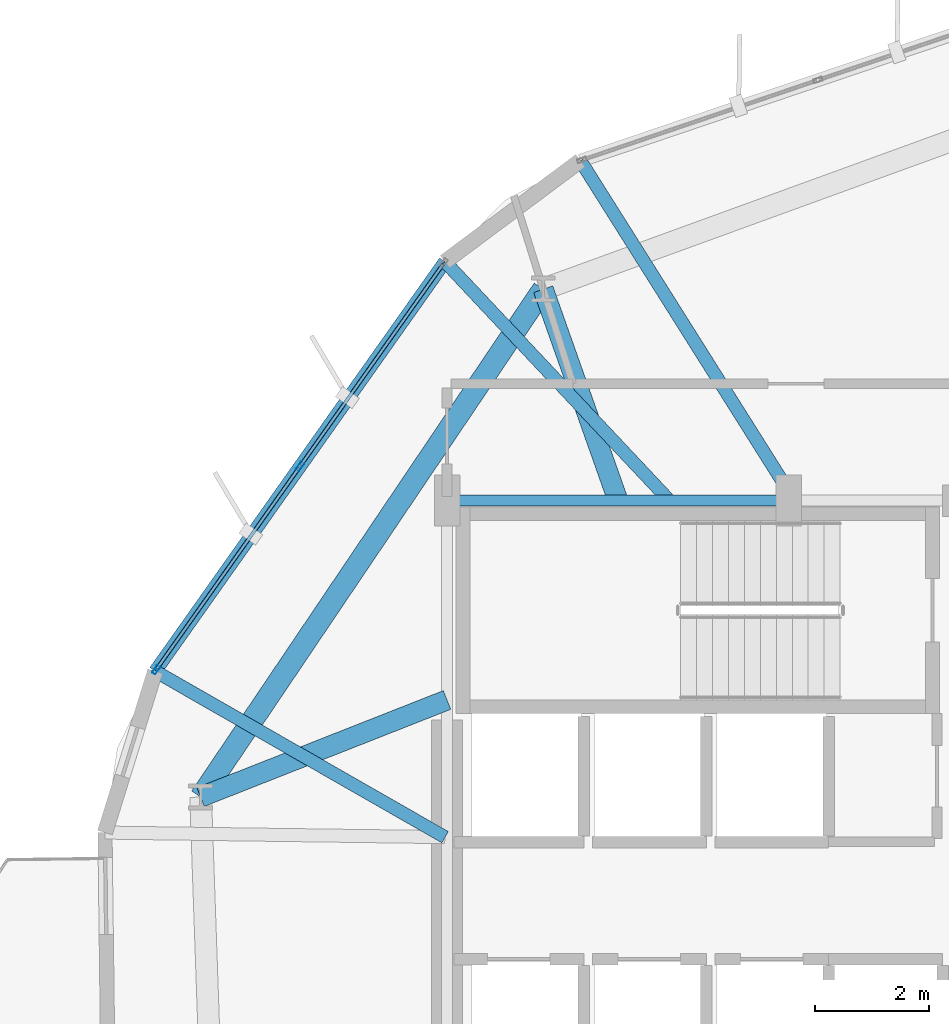
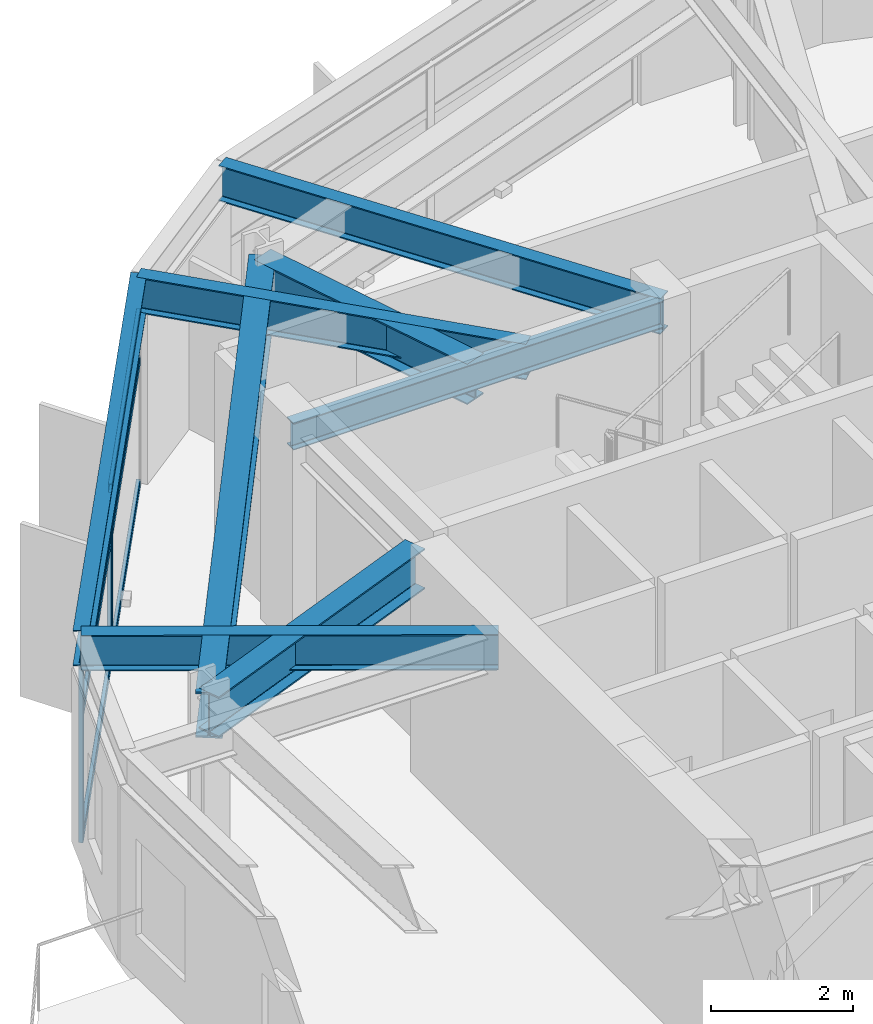
# One storey, part 9 of 25: 8 beams, 8 members, 1 element without a shape of its own.
"""IFC4 building model written with IfcOpenShell, lengths in metres."""

from ifc_helpers import new_model, si_unit, direction, frame, origin, origin_2d, place, context, subcontext, project, spatial, hollow_rectangle, i_section, extrude, material, layer, layer_set, material_profile, profile_set, type_object, element, aggregate, save


model = new_model("IFC4")

# Units and contexts
model_context = context("Model", 3, precision=1e-05, world=origin(), true_north=direction((0.0, 1.0)))
body_context = subcontext(model_context, "Body", "Model", "MODEL_VIEW")
ifc_project = project(units=[si_unit("LENGTHUNIT", "METRE"), si_unit("AREAUNIT", "SQUARE_METRE"), si_unit("VOLUMEUNIT", "CUBIC_METRE"), si_unit("PLANEANGLEUNIT", "RADIAN"), si_unit("MASSUNIT", "GRAM", prefix="KILO")], contexts=[model_context])

# Site, building, storey
site_placement = place(None, origin())
site = spatial("IfcSite", under=ifc_project, at=site_placement, CompositionType="ELEMENT")
building_placement = place(site_placement, origin())
building = spatial("IfcBuilding", under=site, at=building_placement, Name="Soratama Intermodal Tower", CompositionType="ELEMENT")
storey_placement = place(building_placement, frame((0.0, 0.0, 106.89990234375)))
storey = spatial("IfcBuildingStorey", under=building, at=storey_placement, Name="L25", CompositionType="ELEMENT", Elevation=106.89990234375)

# Beams
ifc_material_1 = material(Name="Structural steel ASTM A992 Grade 50", Category="steel")
ifc_material_profile_1 = material_profile(ifc_material_1, i_section(OverallWidth=0.19091796875, OverallDepth=0.4599609375, WebThickness=0.010009765625, FlangeThickness=0.01611328125, FilletRadius=0.010986328125, at=origin_2d()), Name="W18X55")
ifc_profile_set_1 = profile_set([ifc_material_profile_1], Name="Structural steel ASTM A992 Grade 50")
beam_type_1 = type_object("IfcBeamType", Name="BM-FLR-W18X55", PredefinedType="BEAM", material=ifc_profile_set_1)
beam_1_placement = place(storey_placement, frame((38.60009765625, 35.0, 3.3701171875), z_axis=(-1.0, 0.0, 0.0), x_axis=(0.0, -1.0, 0.0)))
element("IfcBeam", 1, at=beam_1_placement, inside=storey, type_object=beam_type_1, Name="BM-L25-CRING-07", PredefinedType="BEAM", context=body_context, shape_type="SweptSolid", body=[
    extrude(i_section(OverallWidth=0.19091796875, OverallDepth=0.4599609375, WebThickness=0.010009765625, FlangeThickness=0.01611328125, FilletRadius=0.010986328125, at=origin_2d()), origin(), (0.0, 0.0, 1.0), 6.0),
])
ifc_material_2 = material(Name="Structural steel ASTM A992 Grade 50", Category="steel")
ifc_material_profile_2 = material_profile(ifc_material_2, i_section(OverallWidth=0.35498046875, OverallDepth=0.695068359375, WebThickness=0.015380859375, FlangeThickness=0.02490234375, FilletRadius=0.01611328125, at=origin_2d()), Name="W27X146")
ifc_profile_set_2 = profile_set([ifc_material_profile_2], Name="Structural steel ASTM A992 Grade 50")
beam_type_2 = type_object("IfcBeamType", Name="BM-RING-W27X146", PredefinedType="BEAM", material=ifc_profile_set_2)
beam_2_placement = place(storey_placement, frame((35.60009765625, 35.0, 3.252685546875), z_axis=(-0.333332697239, 0.942809266475, 0.0), x_axis=(-0.942809266475, -0.333332697239, 0.0)))
element("IfcBeam", 2, at=beam_2_placement, inside=storey, type_object=beam_type_2, Name="BM-L25-RAD-04", PredefinedType="BEAM", context=body_context, shape_type="SweptSolid", body=[
    extrude(i_section(OverallWidth=0.35498046875, OverallDepth=0.695068359375, WebThickness=0.015380859375, FlangeThickness=0.02490234375, FilletRadius=0.01611328125, at=origin_2d()), origin(), (0.0, 0.0, 1.0), 3.93603515625),
])
beam_3_placement = place(storey_placement, frame((32.60009765625, 31.5, 3.252685546875), z_axis=(-0.930419244357, -0.366496970971, 0.0), x_axis=(0.366496970971, -0.930419244357, 0.0)))
element("IfcBeam", 3, at=beam_3_placement, inside=storey, type_object=beam_type_2, Name="BM-L25-RAD-05", PredefinedType="BEAM", context=body_context, shape_type="SweptSolid", body=[
    extrude(i_section(OverallWidth=0.35498046875, OverallDepth=0.695068359375, WebThickness=0.015380859375, FlangeThickness=0.02490234375, FilletRadius=0.01611328125, at=origin_2d()), origin(), (0.0, 0.0, 1.0), 4.649658203125),
])
ifc_material_3 = material(Name="Structural steel ASTM A992 Grade 50", Category="steel")
ifc_material_profile_3 = material_profile(ifc_material_3, i_section(OverallWidth=0.382080078125, OverallDepth=0.779052734375, WebThickness=0.01806640625, FlangeThickness=0.030029296875, FilletRadius=0.01806640625, at=origin_2d()), Name="W30X191")
ifc_profile_set_3 = profile_set([ifc_material_profile_3], Name="Structural steel ASTM A992 Grade 50")
beam_type_3 = type_object("IfcBeamType", Name="BM-RING-W30X191", PredefinedType="BEAM", material=ifc_profile_set_3)
beam_4_placement = place(storey_placement, frame((34.2880859375, 38.7109375, 3.210693359375), z_axis=(-0.559249807749, -0.828999187293, 0.0), x_axis=(0.828999187293, -0.559249807749, 0.0)))
element("IfcBeam", 4, at=beam_4_placement, inside=storey, type_object=beam_type_3, Name="BM-L25-RING-04", PredefinedType="BEAM", context=body_context, shape_type="SweptSolid", body=[
    extrude(i_section(OverallWidth=0.382080078125, OverallDepth=0.779052734375, WebThickness=0.01806640625, FlangeThickness=0.030029296875, FilletRadius=0.01806640625, at=origin_2d()), origin(), (0.0, 0.0, 1.0), 10.75390625),
])
ifc_material_4 = material(Name="Structural steel ASTM A992 Grade 50", Category="steel")
ifc_material_profile_4 = material_profile(ifc_material_4, i_section(OverallWidth=0.22900390625, OverallDepth=0.612060546875, WebThickness=0.011962890625, FlangeThickness=0.01953125, FilletRadius=0.012939453125, at=origin_2d()), Name="W24X84")
ifc_profile_set_4 = profile_set([ifc_material_profile_4], Name="Structural steel ASTM A992 Grade 50")
beam_type_4 = type_object("IfcBeamType", Name="BM-SPN-W24X84", PredefinedType="SPANDREL", material=ifc_profile_set_4)
beam_5_placement = place(storey_placement, frame((32.56201171875, 39.194091796875, 3.294189453125), z_axis=(-0.577605770841, -0.816315854, 0.0), x_axis=(0.816315854, -0.577605770841, 0.0)))
element("IfcBeam", 5, at=beam_5_placement, inside=storey, type_object=beam_type_4, Name="BS-L25-F04", PredefinedType="SPANDREL", context=body_context, shape_type="SweptSolid", body=[
    extrude(i_section(OverallWidth=0.22900390625, OverallDepth=0.612060546875, WebThickness=0.011962890625, FlangeThickness=0.01953125, FilletRadius=0.012939453125, at=origin_2d()), origin(), (0.0, 0.0, 1.0), 8.806884765625),
])
ifc_material_5 = material(Name="Structural steel ASTM A992 Grade 50", Category="steel")
ifc_material_profile_5 = material_profile(ifc_material_5, i_section(OverallWidth=0.22900390625, OverallDepth=0.612060546875, WebThickness=0.011962890625, FlangeThickness=0.01953125, FilletRadius=0.012939453125, at=origin_2d()), Name="W24X84")
ifc_profile_set_5 = profile_set([ifc_material_profile_5], Name="Structural steel ASTM A992 Grade 50")
beam_type_5 = type_object("IfcBeamType", Name="BM-TIE-W24X84", PredefinedType="BEAM", material=ifc_profile_set_5)
beam_6_placement = place(storey_placement, frame((38.677978515625, 35.033935546875, 3.294189453125), z_axis=(-0.532993297538, 0.846119462475, 0.0), x_axis=(-0.846119462475, -0.532993297538, 0.0)))
element("IfcBeam", 6, at=beam_6_placement, inside=storey, type_object=beam_type_5, Name="BM-L25-TIE1-03", PredefinedType="BEAM", context=body_context, shape_type="SweptSolid", body=[
    extrude(i_section(OverallWidth=0.22900390625, OverallDepth=0.612060546875, WebThickness=0.011962890625, FlangeThickness=0.01953125, FilletRadius=0.012939453125, at=origin_2d()), origin(), (0.0, 0.0, 1.0), 7.01318359375),
])
beam_7_placement = place(storey_placement, frame((36.47705078125, 35.029052734375, 3.294189453125), z_axis=(-0.684900938804, 0.728636194562, 0.0), x_axis=(-0.728636194562, -0.684900938804, 0.0)))
element("IfcBeam", 7, at=beam_7_placement, inside=storey, type_object=beam_type_5, Name="BM-L25-TIE0-04", PredefinedType="BEAM", context=body_context, shape_type="SweptSolid", body=[
    extrude(i_section(OverallWidth=0.22900390625, OverallDepth=0.612060546875, WebThickness=0.011962890625, FlangeThickness=0.01953125, FilletRadius=0.012939453125, at=origin_2d()), origin(), (0.0, 0.0, 1.0), 5.71630859375),
])
beam_8_placement = place(storey_placement, frame((32.56494140625, 29.091064453125, 3.294189453125), z_axis=(-0.867850931914, 0.496824677302, 0.0), x_axis=(-0.496824677302, -0.867850931914, 0.0)))
element("IfcBeam", 8, at=beam_8_placement, inside=storey, type_object=beam_type_5, Name="BM-L25-TIE1-04", PredefinedType="BEAM", context=body_context, shape_type="SweptSolid", body=[
    extrude(i_section(OverallWidth=0.22900390625, OverallDepth=0.612060546875, WebThickness=0.011962890625, FlangeThickness=0.01953125, FilletRadius=0.012939453125, at=origin_2d()), origin(), (0.0, 0.0, 1.0), 5.864990234375),
])

# Curtain wall, members
ifc_material_6 = material(Name="Double-glazed aluminium curtain wall", Category="aluminium")
ifc_layer = layer(ifc_material_6, 0.159912109375)
ifc_layer_set = layer_set([ifc_layer], Name="Double-glazed aluminium curtain wall")
curtain_wall_type = type_object("IfcCurtainWallType", Name="CW-SYS-3", PredefinedType="NOTDEFINED", material=ifc_layer_set)
curtain_wall_placement = place(storey_placement, origin())
curtain_wall = element("IfcCurtainWall", 9, at=curtain_wall_placement, inside=storey, type_object=curtain_wall_type, Name="L25 Faceted Curtain Wall F04", PredefinedType="NOTDEFINED")
ifc_material_7 = material(Name="Anodised aluminium AA 6063-T6", Category="aluminium")
ifc_material_profile_6 = material_profile(ifc_material_7, hollow_rectangle(XDim=0.070068359375, YDim=0.159912109375, WallThickness=0.0048828125, InnerFilletRadius=0.0048828125, OuterFilletRadius=0.010009765625, at=origin_2d()), Name="CWM160X70X5")
ifc_profile_set_6 = profile_set([ifc_material_profile_6], Name="Anodised aluminium AA 6063-T6")
member_type_1 = type_object("IfcMemberType", Name="MT-CWM-3", PredefinedType="MULLION", material=ifc_profile_set_6)
member_1_placement = place(storey_placement, frame((30.0185546875, 35.599609375, 0.0), z_axis=(0.0, 0.0, 1.0), x_axis=(0.816333893981, -0.57758027454, 0.0)))
member_1 = element("IfcMember", 10, at=member_1_placement, type_object=member_type_1, Name="CW-3 mullion 2", PredefinedType="MULLION", context=body_context, shape_type="SweptSolid", body=[
    extrude(hollow_rectangle(XDim=0.070068359375, YDim=0.159912109375, WallThickness=0.0048828125, InnerFilletRadius=0.0048828125, OuterFilletRadius=0.010009765625, at=origin_2d()), origin(), (0.0, 0.0, 1.0), 2.97900390625),
])
member_2_placement = place(storey_placement, frame((27.49267578125, 32.029541015625, 0.0), z_axis=(0.0, 0.0, 1.0), x_axis=(0.816333893981, -0.57758027454, 0.0)))
member_2 = element("IfcMember", 11, at=member_2_placement, type_object=member_type_1, Name="CW-3 mullion 3", PredefinedType="MULLION", context=body_context, shape_type="SweptSolid", body=[
    extrude(hollow_rectangle(XDim=0.070068359375, YDim=0.159912109375, WallThickness=0.0048828125, InnerFilletRadius=0.0048828125, OuterFilletRadius=0.010009765625, at=origin_2d()), origin(), (0.0, 0.0, 1.0), 2.97900390625),
])
ifc_material_8 = material(Name="Anodised aluminium AA 6063-T6", Category="aluminium")
ifc_material_profile_7 = material_profile(ifc_material_8, hollow_rectangle(XDim=0.06494140625, YDim=0.14990234375, WallThickness=0.0048828125, InnerFilletRadius=0.0048828125, OuterFilletRadius=0.010009765625, at=origin_2d()), Name="CWT150X65X5")
ifc_profile_set_7 = profile_set([ifc_material_profile_7], Name="Anodised aluminium AA 6063-T6")
member_type_2 = type_object("IfcMemberType", Name="TT-CWT-1", PredefinedType="USERDEFINED", material=ifc_profile_set_7)
member_3_placement = place(storey_placement, frame((32.52734375, 39.14501953125, 0.030029296875), z_axis=(-0.577618378327, -0.816306933095, 0.0), x_axis=(0.816306933095, -0.577618378327, 0.0)))
member_3 = element("IfcMember", 12, at=member_3_placement, type_object=member_type_2, Name="CW-3 transom 1.1", ObjectType="TRANSOM", PredefinedType="USERDEFINED", context=body_context, shape_type="SweptSolid", body=[
    extrude(hollow_rectangle(XDim=0.06494140625, YDim=0.14990234375, WallThickness=0.0048828125, InnerFilletRadius=0.0048828125, OuterFilletRadius=0.010009765625, at=origin_2d()), origin(), (0.0, 0.0, 1.0), 4.313232421875),
])
member_4_placement = place(storey_placement, frame((32.52734375, 39.14501953125, 2.150146484375), z_axis=(-0.577618378327, -0.816306933095, 0.0), x_axis=(0.816306933095, -0.577618378327, 0.0)))
member_4 = element("IfcMember", 13, at=member_4_placement, type_object=member_type_2, Name="CW-3 transom 1.2", ObjectType="TRANSOM", PredefinedType="USERDEFINED", context=body_context, shape_type="SweptSolid", body=[
    extrude(hollow_rectangle(XDim=0.06494140625, YDim=0.14990234375, WallThickness=0.0048828125, InnerFilletRadius=0.0048828125, OuterFilletRadius=0.010009765625, at=origin_2d()), origin(), (0.0, 0.0, 1.0), 4.313232421875),
])
member_5_placement = place(storey_placement, frame((32.52734375, 39.14501953125, 2.94921875), z_axis=(-0.577618378327, -0.816306933095, 0.0), x_axis=(0.816306933095, -0.577618378327, 0.0)))
member_5 = element("IfcMember", 14, at=member_5_placement, type_object=member_type_2, Name="CW-3 transom 1.3", ObjectType="TRANSOM", PredefinedType="USERDEFINED", context=body_context, shape_type="SweptSolid", body=[
    extrude(hollow_rectangle(XDim=0.06494140625, YDim=0.14990234375, WallThickness=0.0048828125, InnerFilletRadius=0.0048828125, OuterFilletRadius=0.010009765625, at=origin_2d()), origin(), (0.0, 0.0, 1.0), 4.313232421875),
])
member_6_placement = place(storey_placement, frame((30.001220703125, 35.574951171875, 0.030029296875), z_axis=(-0.577580659667, -0.816333621493, 0.0), x_axis=(0.816333621493, -0.577580659667, 0.0)))
member_6 = element("IfcMember", 15, at=member_6_placement, type_object=member_type_2, Name="CW-3 transom 2.1", ObjectType="TRANSOM", PredefinedType="USERDEFINED", context=body_context, shape_type="SweptSolid", body=[
    extrude(hollow_rectangle(XDim=0.06494140625, YDim=0.14990234375, WallThickness=0.0048828125, InnerFilletRadius=0.0048828125, OuterFilletRadius=0.010009765625, at=origin_2d()), origin(), (0.0, 0.0, 1.0), 4.313232421875),
])
member_7_placement = place(storey_placement, frame((30.001220703125, 35.574951171875, 2.150146484375), z_axis=(-0.577580659667, -0.816333621493, 0.0), x_axis=(0.816333621493, -0.577580659667, 0.0)))
member_7 = element("IfcMember", 16, at=member_7_placement, type_object=member_type_2, Name="CW-3 transom 2.2", ObjectType="TRANSOM", PredefinedType="USERDEFINED", context=body_context, shape_type="SweptSolid", body=[
    extrude(hollow_rectangle(XDim=0.06494140625, YDim=0.14990234375, WallThickness=0.0048828125, InnerFilletRadius=0.0048828125, OuterFilletRadius=0.010009765625, at=origin_2d()), origin(), (0.0, 0.0, 1.0), 4.313232421875),
])
member_8_placement = place(storey_placement, frame((30.001220703125, 35.574951171875, 2.94921875), z_axis=(-0.577580659667, -0.816333621493, 0.0), x_axis=(0.816333621493, -0.577580659667, 0.0)))
member_8 = element("IfcMember", 17, at=member_8_placement, type_object=member_type_2, Name="CW-3 transom 2.3", ObjectType="TRANSOM", PredefinedType="USERDEFINED", context=body_context, shape_type="SweptSolid", body=[
    extrude(hollow_rectangle(XDim=0.06494140625, YDim=0.14990234375, WallThickness=0.0048828125, InnerFilletRadius=0.0048828125, OuterFilletRadius=0.010009765625, at=origin_2d()), origin(), (0.0, 0.0, 1.0), 4.313232421875),
])
aggregate(curtain_wall, [member_1, member_2, member_3, member_4, member_5, member_6, member_7, member_8])

save(model, "model.ifc")
